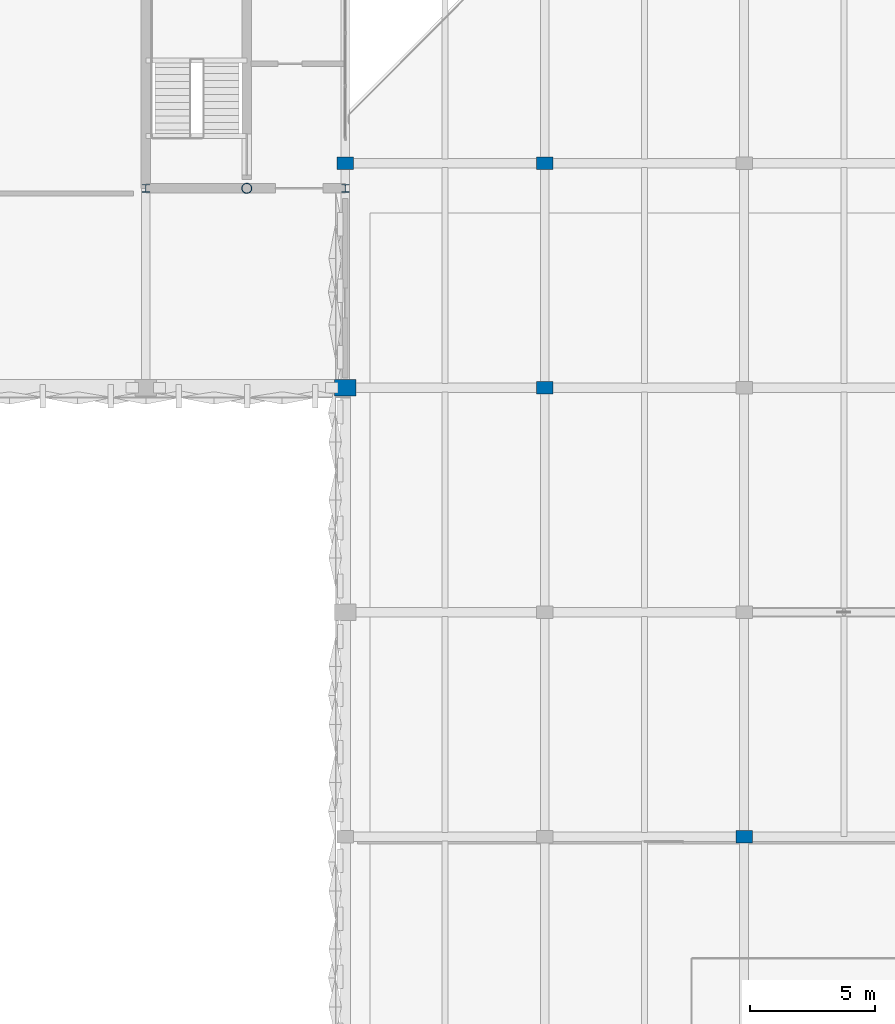
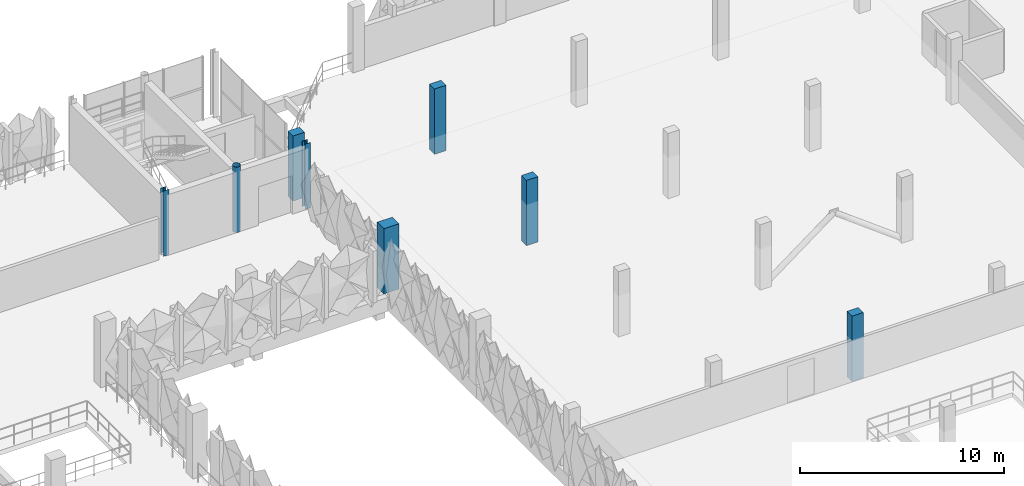
# One storey, part 6 of 76: 8 columns.
"""IFC4 building model written with IfcOpenShell, lengths in metres."""

from ifc_helpers import new_model, si_unit, derived_unit, direction, frame, origin, origin_2d, place, context, subcontext, project, spatial, rectangle, hollow_circle, i_section, extrude, material, material_profile, profile_set, type_object, element, save


model = new_model("IFC4")

# Units and contexts
model_context = context("Model", 3, precision=1e-05, world=origin(), true_north=direction((0.0, 1.0)))
body_context = subcontext(model_context, "Body", "Model", "MODEL_VIEW")
ifc_project = project(units=[si_unit("LENGTHUNIT", "METRE"), si_unit("AREAUNIT", "SQUARE_METRE"), si_unit("VOLUMEUNIT", "CUBIC_METRE"), si_unit("PLANEANGLEUNIT", "RADIAN"), si_unit("MASSUNIT", "GRAM", prefix="KILO"), si_unit("THERMODYNAMICTEMPERATUREUNIT", "KELVIN"), derived_unit("THERMALTRANSMITTANCEUNIT", [(si_unit("POWERUNIT", "WATT"), 1), (si_unit("AREAUNIT", "SQUARE_METRE"), -1), (si_unit("THERMODYNAMICTEMPERATUREUNIT", "KELVIN"), -1)])], contexts=[model_context])

# Site, building, storey
site_placement = place(None, origin())
site = spatial("IfcSite", under=ifc_project, at=site_placement, CompositionType="ELEMENT")
building_placement = place(site_placement, origin())
building = spatial("IfcBuilding", under=site, at=building_placement, Name="Haiyu Intermodal Mobility Hub", CompositionType="ELEMENT")
storey_placement = place(building_placement, frame((0.0, 0.0, 17.300048828125)))
storey = spatial("IfcBuildingStorey", under=building, at=storey_placement, Name="L04", CompositionType="ELEMENT", Elevation=17.300048828125)

# Columns
ifc_material_1 = material(Name="Precast concrete C40", Category="concrete")
ifc_material_profile_1 = material_profile(ifc_material_1, rectangle(XDim=0.85009765625, YDim=0.64990234375, at=origin_2d()), Name="RC850x650")
ifc_profile_set_1 = profile_set([ifc_material_profile_1], Name="Precast concrete C40")
column_type_1 = type_object("IfcColumnType", Name="COL-CC05-EXT", PredefinedType="COLUMN", material=ifc_profile_set_1)
column_1_placement = place(storey_placement, frame((162.0, 131.0, 0.0), z_axis=(0.0, 0.0, 1.0), x_axis=(1.0, 0.0, 0.0)))
element("IfcColumn", 1, at=column_1_placement, inside=storey, type_object=column_type_1, Name="Column V4-18Q L04", PredefinedType="COLUMN", context=body_context, shape_type="SweptSolid", body=[
    extrude(rectangle(XDim=0.85009765625, YDim=0.64990234375, at=origin_2d()), origin(), (0.0, 0.0, 1.0), 3.89990234375),
])
ifc_material_2 = material(Name="Concrete C40", Category="concrete")
ifc_material_profile_2 = material_profile(ifc_material_2, rectangle(XDim=0.64990234375, YDim=0.5, at=origin_2d()), Name="C650x500")
ifc_profile_set_2 = profile_set([ifc_material_profile_2], Name="Concrete C40")
column_type_2 = type_object("IfcColumnType", Name="COL-CC17", PredefinedType="COLUMN", material=ifc_profile_set_2)
for number, where, z_axis, x_axis, name in (
    (2, (170.0, 131.0, 0.0), (0.0, 0.0, 1.0), (1.0, 0.0, 0.0), "Column V6-19Q L04"),
    (3, (170.0, 140.0, 0.0), (0.0, 0.0, 1.0), (1.0, 0.0, 0.0), "Column V6-19R L04"),
    (4, (178.0, 113.0, 0.0), (0.0, 0.0, 1.0), (1.0, 0.0, 0.0), "Column V6-20N L04"),
):
    element("IfcColumn", number, at=place(storey_placement, frame(where, z_axis=z_axis, x_axis=x_axis)), inside=storey, type_object=column_type_2, Name=name, PredefinedType="COLUMN", context=body_context, shape_type="SweptSolid", body=[
        extrude(rectangle(XDim=0.64990234375, YDim=0.5, at=origin_2d()), origin(), (0.0, 0.0, 1.0), 3.89990234375),
    ])
ifc_material_profile_3 = material_profile(ifc_material_2, rectangle(XDim=0.64990234375, YDim=0.5, at=origin_2d()), Name="C650x500")
ifc_profile_set_3 = profile_set([ifc_material_profile_3], Name="Concrete C40")
column_type_3 = type_object("IfcColumnType", Name="COL-CC17-EXT", PredefinedType="COLUMN", material=ifc_profile_set_3)
column_2_placement = place(storey_placement, frame((162.0, 140.0, 0.0), z_axis=(0.0, 0.0, 1.0), x_axis=(1.0, 0.0, 0.0)))
element("IfcColumn", 5, at=column_2_placement, inside=storey, type_object=column_type_3, Name="Column V6-18R L04", PredefinedType="COLUMN", context=body_context, shape_type="SweptSolid", body=[
    extrude(rectangle(XDim=0.64990234375, YDim=0.5, at=origin_2d()), origin(), (0.0, 0.0, 1.0), 3.89990234375),
])
ifc_material_3 = material(Name="Steel Q355C", Category="steel")
ifc_material_profile_4 = material_profile(ifc_material_3, hollow_circle(Radius=0.202880859375, WallThickness=0.013916015625, at=origin_2d()), Name="CHS406x14")
ifc_profile_set_4 = profile_set([ifc_material_profile_4], Name="Steel Q355C")
column_type_4 = type_object("IfcColumnType", Name="COL-SC03", PredefinedType="COLUMN", material=ifc_profile_set_4)
column_3_placement = place(storey_placement, frame((158.050048828125, 139.0, 0.0), z_axis=(0.0, 0.0, 1.0), x_axis=(1.0, 0.0, 0.0)))
element("IfcColumn", 6, at=column_3_placement, inside=storey, type_object=column_type_4, Name="Column C4-MS L04", PredefinedType="COLUMN", context=body_context, shape_type="SweptSolid", body=[
    extrude(hollow_circle(Radius=0.202880859375, WallThickness=0.013916015625, at=origin_2d()), origin(), (0.0, 0.0, 1.0), 3.89990234375),
])
ifc_material_profile_5 = material_profile(ifc_material_3, i_section(OverallWidth=0.300048828125, OverallDepth=0.300048828125, WebThickness=0.010009765625, FlangeThickness=0.014892578125, FilletRadius=0.01806640625, at=origin_2d()), Name="HW300x300x10x15")
ifc_profile_set_5 = profile_set([ifc_material_profile_5], Name="Steel Q355C")
column_type_5 = type_object("IfcColumnType", Name="COL-SC07", PredefinedType="COLUMN", material=ifc_profile_set_5)
column_4_placement = place(storey_placement, frame((154.0, 139.0, 0.0), z_axis=(0.0, 0.0, 1.0), x_axis=(1.0, 0.0, 0.0)))
element("IfcColumn", 7, at=column_4_placement, inside=storey, type_object=column_type_5, Name="Column C4-SW L04", PredefinedType="COLUMN", context=body_context, shape_type="SweptSolid", body=[
    extrude(i_section(OverallWidth=0.300048828125, OverallDepth=0.300048828125, WebThickness=0.010009765625, FlangeThickness=0.014892578125, FilletRadius=0.01806640625, at=origin_2d()), origin(), (0.0, 0.0, 1.0), 3.89990234375),
])
ifc_material_profile_6 = material_profile(ifc_material_3, i_section(OverallWidth=0.300048828125, OverallDepth=0.300048828125, WebThickness=0.010009765625, FlangeThickness=0.014892578125, FilletRadius=0.01806640625, at=origin_2d()), Name="HW300x300x10x15")
ifc_profile_set_6 = profile_set([ifc_material_profile_6], Name="Steel Q355C")
column_type_6 = type_object("IfcColumnType", Name="COL-SC07-EXT", PredefinedType="COLUMN", material=ifc_profile_set_6)
column_5_placement = place(storey_placement, frame((162.0, 139.0, 0.0), z_axis=(0.0, 0.0, 1.0), x_axis=(1.0, 0.0, 0.0)))
element("IfcColumn", 8, at=column_5_placement, inside=storey, type_object=column_type_6, Name="Column C4-SE L04", PredefinedType="COLUMN", context=body_context, shape_type="SweptSolid", body=[
    extrude(i_section(OverallWidth=0.300048828125, OverallDepth=0.300048828125, WebThickness=0.010009765625, FlangeThickness=0.014892578125, FilletRadius=0.01806640625, at=origin_2d()), origin(), (0.0, 0.0, 1.0), 3.89990234375),
])

save(model, "model.ifc")
